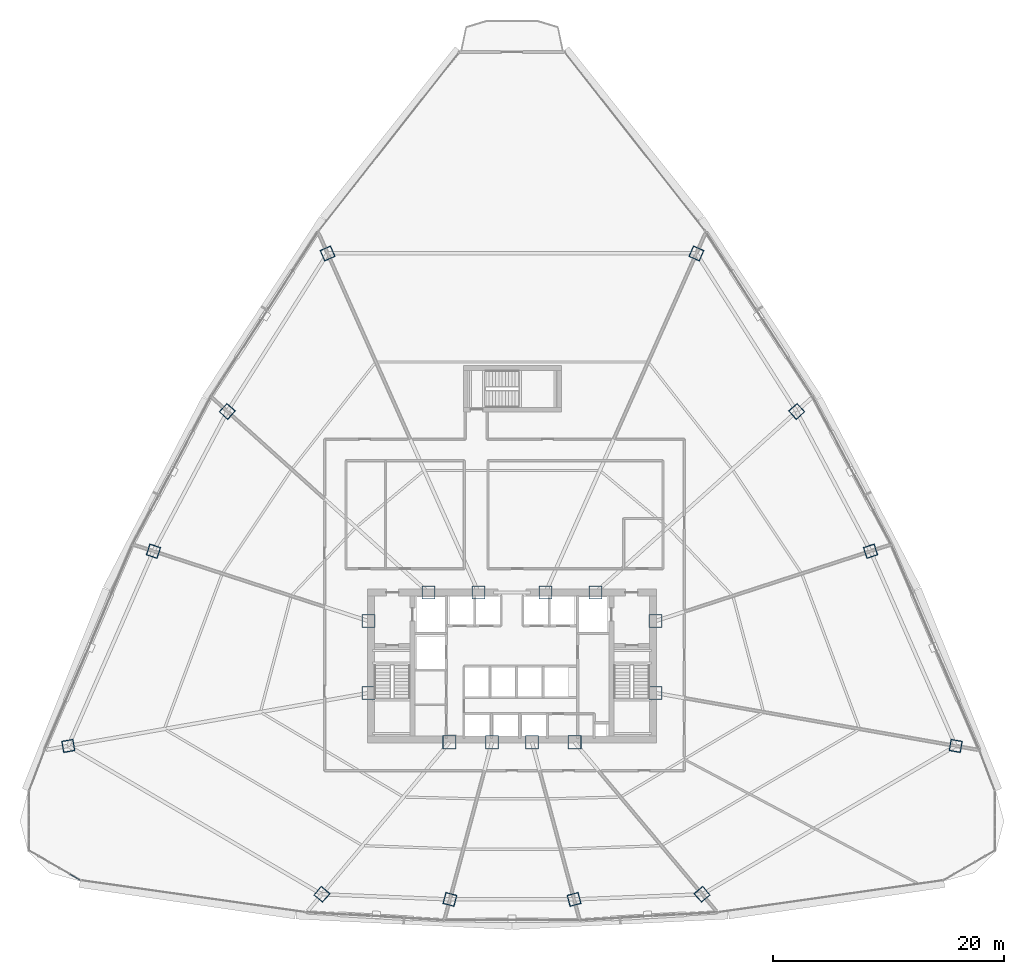
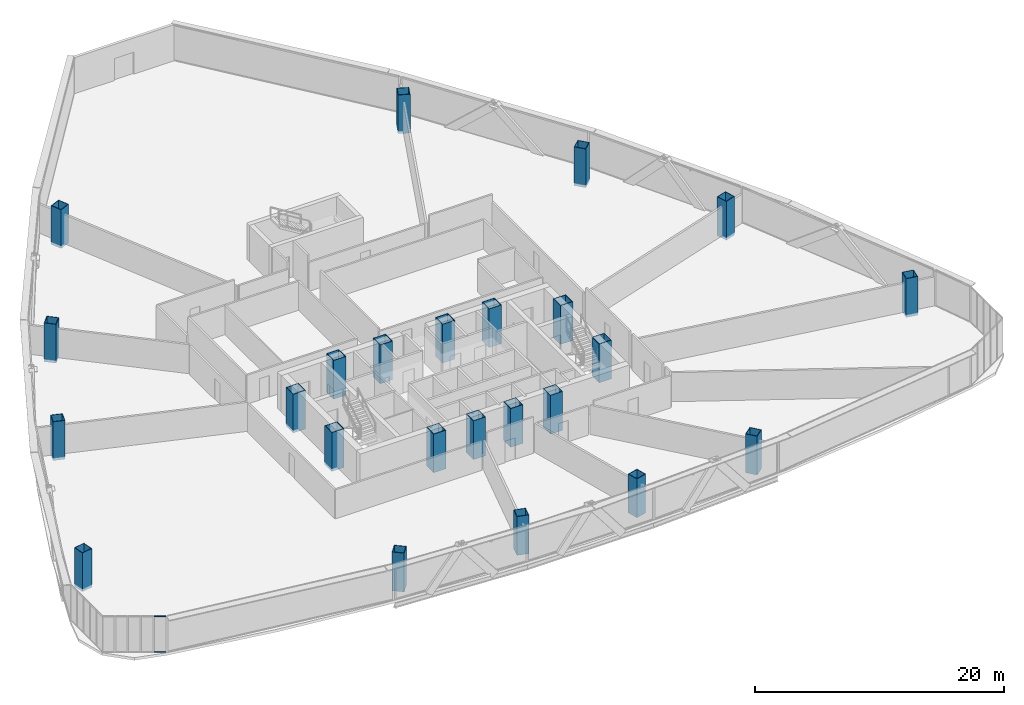
# One storey, part 1 of 39: 24 columns, 2 members, 1 element without a shape of its own.
"""IFC4 building model written with IfcOpenShell, lengths in metres."""

from ifc_helpers import new_model, si_unit, direction, frame, origin, origin_2d, place, context, subcontext, project, spatial, hollow_rectangle, extrude, source, transform, mapped, material, layer, layer_set, material_profile, profile_set, type_object, element, aggregate, save


model = new_model("IFC4")

# Units and contexts
model_context = context("Model", 3, precision=1e-05, world=origin(), true_north=direction((0.0, 1.0)))
body_context = subcontext(model_context, "Body", "Model", "MODEL_VIEW")
ifc_project = project(units=[si_unit("LENGTHUNIT", "METRE"), si_unit("AREAUNIT", "SQUARE_METRE"), si_unit("VOLUMEUNIT", "CUBIC_METRE"), si_unit("PLANEANGLEUNIT", "RADIAN"), si_unit("MASSUNIT", "GRAM", prefix="KILO"), si_unit("THERMODYNAMICTEMPERATUREUNIT", "KELVIN"), si_unit("POWERUNIT", "WATT")], contexts=[model_context])

# Site, building, storey
site_placement = place(None, origin())
site = spatial("IfcSite", under=ifc_project, at=site_placement, CompositionType="ELEMENT")
building_placement = place(site_placement, origin())
building = spatial("IfcBuilding", under=site, at=building_placement, Name="Yunzhuo Pagoda Commons", CompositionType="ELEMENT")
storey_placement = place(building_placement, frame((0.0, 0.0, 100.179931640625)))
storey = spatial("IfcBuildingStorey", under=building, at=storey_placement, Name="L25", CompositionType="ELEMENT", Elevation=100.179931640625)

# Columns
ifc_material_1 = material(Name="Structural steel Q420B", Category="steel")
ifc_material_profile_1 = material_profile(ifc_material_1, hollow_rectangle(XDim=1.14990234375, YDim=1.14990234375, WallThickness=0.048095703125, at=origin_2d()), Name="Structural steel Q420B")
ifc_profile_set_1 = profile_set([ifc_material_profile_1], Name="Structural steel Q420B")
column_type_1 = type_object("IfcColumnType", Name="C-COR Column BOX 1150x1150x48", PredefinedType="COLUMN", material=ifc_profile_set_1)
shared_shape_1 = source(origin(), body_context, "Body", "SweptSolid", [
    extrude(hollow_rectangle(XDim=1.14990234375, YDim=1.14990234375, WallThickness=0.048095703125, at=origin_2d()), origin(), (0.0, 0.0, 1.0), 3.800048828125),
])
for number, where, z_axis, x_axis, name in (
    (1, (42.587890625, 27.25, -0.260009765625), (0.0, 0.0, 1.0), (1.0, 0.0, 0.0), "L25 core composite column F1C1"),
    (2, (46.27197265625, 27.25, -0.260009765625), (0.0, 0.0, 1.0), (1.0, 0.0, 0.0), "L25 core composite column F1C2"),
    (3, (49.728515625, 27.25, -0.260009765625), (0.0, 0.0, 1.0), (1.0, 0.0, 0.0), "L25 core composite column F1C3"),
    (4, (53.412109375, 27.25, -0.260009765625), (0.0, 0.0, 1.0), (1.0, 0.0, 0.0), "L25 core composite column F1C4"),
    (5, (60.39990234375, 31.513427734375, -0.260009765625), (0.0, 0.0, 1.0), (1.0, 0.0, 0.0), "L25 core composite column F2C1"),
    (6, (60.39990234375, 37.72900390625, -0.260009765625), (0.0, 0.0, 1.0), (1.0, 0.0, 0.0), "L25 core composite column F2C2"),
    (7, (55.218994140625, 40.199951171875, -0.260009765625), (0.0, 0.0, 1.0), (1.0, 0.0, 0.0), "L25 core composite column F2C3"),
    (8, (50.89404296875, 40.199951171875, -0.260009765625), (0.0, 0.0, 1.0), (1.0, 0.0, 0.0), "L25 core composite column F2C4"),
    (9, (45.10595703125, 40.199951171875, -0.260009765625), (0.0, 0.0, 1.0), (1.0, 0.0, 0.0), "L25 core composite column F3C1"),
    (10, (40.781005859375, 40.199951171875, -0.260009765625), (0.0, 0.0, 1.0), (1.0, 0.0, 0.0), "L25 core composite column F3C2"),
    (11, (35.60009765625, 37.72900390625, -0.260009765625), (0.0, 0.0, 1.0), (1.0, 0.0, 0.0), "L25 core composite column F3C3"),
    (12, (35.60009765625, 31.513427734375, -0.260009765625), (0.0, 0.0, 1.0), (1.0, 0.0, 0.0), "L25 core composite column F3C4"),
):
    element("IfcColumn", number, at=place(storey_placement, frame(where, z_axis=z_axis, x_axis=x_axis)), inside=storey, type_object=column_type_1, Name=name, PredefinedType="COLUMN", context=body_context, shape_type="MappedRepresentation", body=[
        mapped(shared_shape_1, transform((0.0, 0.0, 0.0), scale=1.0)),
    ])
ifc_material_profile_2 = material_profile(ifc_material_1, hollow_rectangle(XDim=1.0, YDim=1.0, WallThickness=0.0419921875, at=origin_2d()), Name="Structural steel Q420B")
ifc_profile_set_2 = profile_set([ifc_material_profile_2], Name="Structural steel Q420B")
column_type_2 = type_object("IfcColumnType", Name="C-Z2 Column BOX 1000x1000x42", PredefinedType="COLUMN", material=ifc_profile_set_2)
shared_shape_2 = source(origin(), body_context, "Body", "SweptSolid", [
    extrude(hollow_rectangle(XDim=1.0, YDim=1.0, WallThickness=0.0419921875, at=origin_2d()), origin(), (0.0, 0.0, 1.0), 3.800048828125),
])
for number, where, z_axis, x_axis, name in (
    (13, (31.56396484375, 14.1123046875, -0.260009765625), (0.0, 0.0, 1.0), (0.766044443119, -0.642787609687, 0.0), "L25 tower column F1C1"),
    (14, (42.632568359375, 13.66845703125, -0.260009765625), (0.0, 0.0, 1.0), (0.965925826289, -0.258819045103, 0.0), "L25 tower column F1C2"),
    (15, (53.367431640625, 13.66845703125, -0.260009765625), (0.0, 0.0, 1.0), (0.965925826289, 0.258819045103, 0.0), "L25 tower column F1C3"),
    (16, (64.43603515625, 14.1123046875, -0.260009765625), (0.0, 0.0, 1.0), (0.766044443119, 0.642787609687, 0.0), "L25 tower column F1C4"),
    (17, (86.352783203125, 26.9375, -0.260009765625), (0.0, 0.0, 1.0), (0.173648177667, 0.984807753012, 0.0), "L25 tower column F2C1"),
    (18, (78.99072265625, 43.76953125, -0.260009765625), (0.0, 0.0, 1.0), (-0.309016994375, 0.951056516295, 0.0), "L25 tower column F2C2"),
    (19, (72.602783203125, 55.852294921875, -0.260009765625), (0.0, 0.0, 1.0), (-0.669130606359, 0.743144825477, 0.0), "L25 tower column F2C3"),
    (20, (63.94140625, 69.505126953125, -0.260009765625), (0.0, 0.0, 1.0), (-0.913545457643, 0.406736643076, 0.0), "L25 tower column F2C4"),
    (21, (32.05859375, 69.505126953125, -0.260009765625), (0.0, 0.0, 1.0), (-0.913545457643, -0.406736643076, 0.0), "L25 tower column F3C1"),
    (22, (23.397216796875, 55.852294921875, -0.260009765625), (0.0, 0.0, 1.0), (-0.669130606359, -0.743144825477, 0.0), "L25 tower column F3C2"),
    (23, (17.00927734375, 43.76953125, -0.260009765625), (0.0, 0.0, 1.0), (-0.309016994375, -0.951056516295, 0.0), "L25 tower column F3C3"),
    (24, (9.647216796875, 26.9375, -0.260009765625), (0.0, 0.0, 1.0), (0.173648177667, -0.984807753012, 0.0), "L25 tower column F3C4"),
):
    element("IfcColumn", number, at=place(storey_placement, frame(where, z_axis=z_axis, x_axis=x_axis)), inside=storey, type_object=column_type_2, Name=name, PredefinedType="COLUMN", context=body_context, shape_type="MappedRepresentation", body=[
        mapped(shared_shape_2, transform((0.0, 0.0, 0.0), scale=1.0)),
    ])

# Curtain wall, members
ifc_material_2 = material(Name="Anodized aluminium 6063-T6", Category="aluminium")
ifc_layer = layer(ifc_material_2, 0.1298828125)
ifc_layer_set = layer_set([ifc_layer], Name="Anodized aluminium 6063-T6")
curtain_wall_type = type_object("IfcCurtainWallType", Name="CW-VTX Rounded Corner Curtain Wall", PredefinedType="NOTDEFINED", material=ifc_layer_set)
curtain_wall_placement = place(storey_placement, origin())
curtain_wall = element("IfcCurtainWall", 25, at=curtain_wall_placement, inside=storey, type_object=curtain_wall_type, Name="L25 curtain wall CW-L25-VTX1S2", PredefinedType="NOTDEFINED")
ifc_material_profile_3 = material_profile(ifc_material_2, hollow_rectangle(XDim=0.054931640625, YDim=0.1201171875, WallThickness=0.00341796875, at=origin_2d()), Name="Anodized aluminium 6063-T6")
ifc_profile_set_3 = profile_set([ifc_material_profile_3], Name="Anodized aluminium 6063-T6")
member_type = type_object("IfcMemberType", Name="CW-VTX-T Transom RHS 120x55x3.5", PredefinedType="USERDEFINED", material=ifc_profile_set_3)
shared_shape_3 = source(origin(), body_context, "Body", "SweptSolid", [
    extrude(hollow_rectangle(XDim=0.054931640625, YDim=0.1201171875, WallThickness=0.00341796875, at=origin_2d()), origin(), (0.0, 0.0, 1.0), 0.952880859375),
])
member_1_placement = place(storey_placement, frame((9.807373046875, 15.8349609375, 0.02783203125), z_axis=(0.865391204156, -0.501096860666, 0.0), x_axis=(0.501096860666, 0.865391204156, 0.0)))
member_1 = element("IfcMember", 26, at=member_1_placement, type_object=member_type, Name="CW transom 5.1", ObjectType="TRANSOM", PredefinedType="USERDEFINED", context=body_context, shape_type="MappedRepresentation", body=[
    mapped(shared_shape_3, transform((0.0, 0.0, 0.0), scale=1.0)),
])
member_2_placement = place(storey_placement, frame((9.807373046875, 15.8349609375, 3.512451171875), z_axis=(0.865391204156, -0.501096860666, 0.0), x_axis=(0.501096860666, 0.865391204156, 0.0)))
member_2 = element("IfcMember", 27, at=member_2_placement, type_object=member_type, Name="CW transom 5.2", ObjectType="TRANSOM", PredefinedType="USERDEFINED", context=body_context, shape_type="MappedRepresentation", body=[
    mapped(shared_shape_3, transform((0.0, 0.0, 0.0), scale=1.0)),
])
aggregate(curtain_wall, [member_1, member_2])

save(model, "model.ifc")
